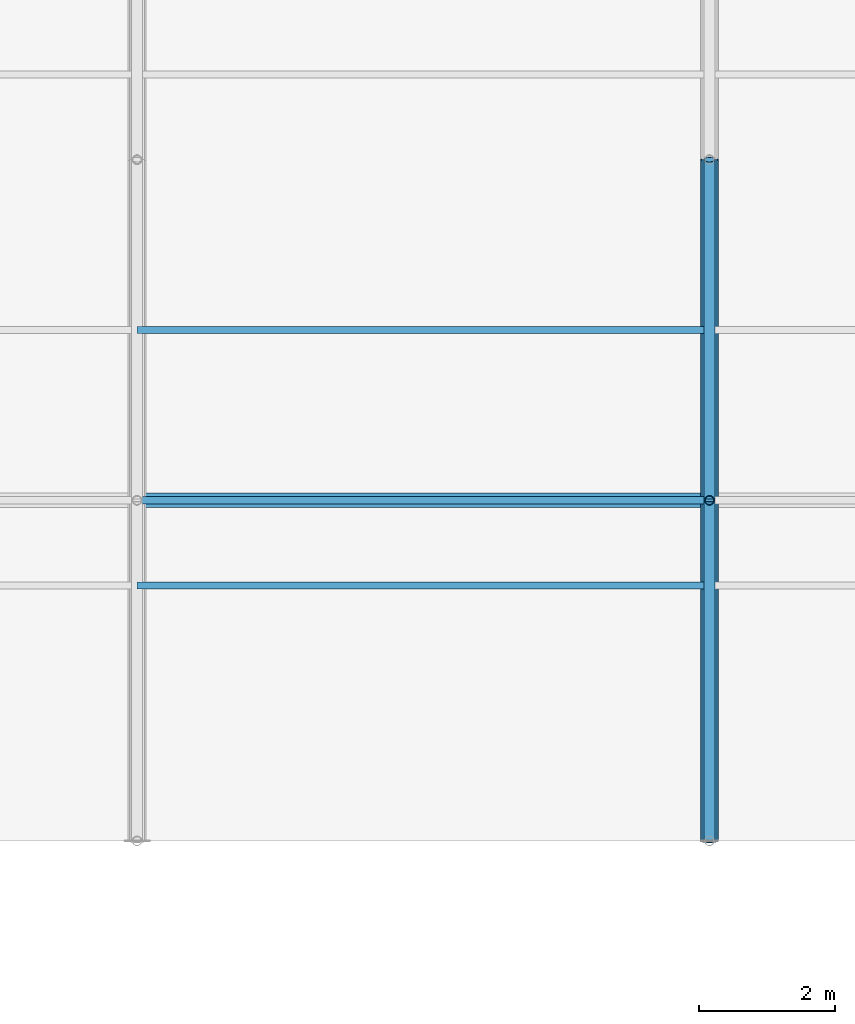
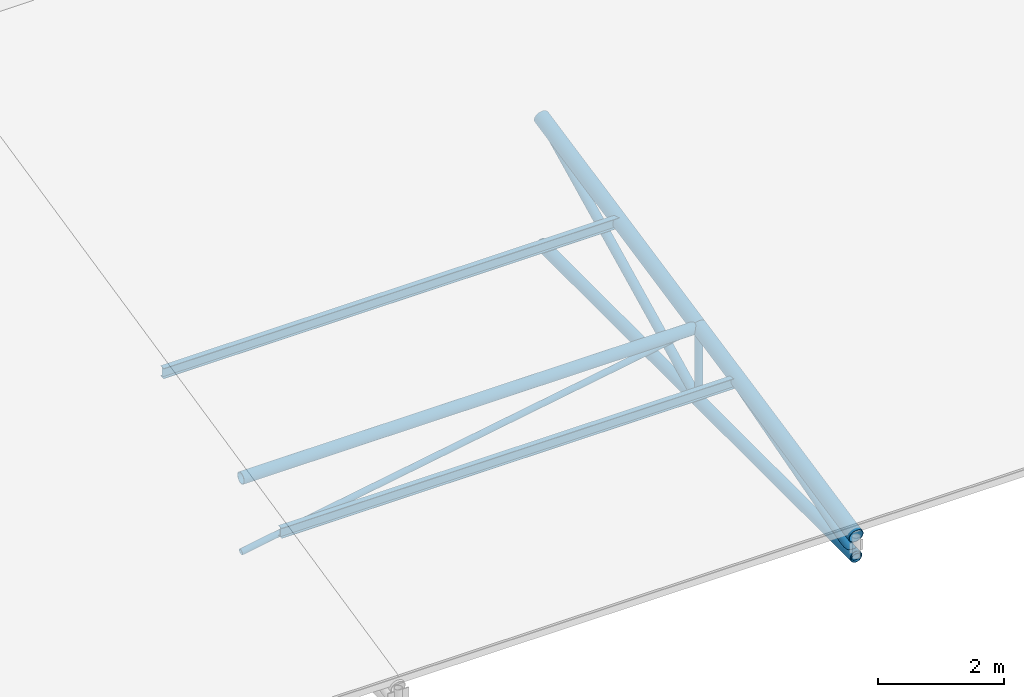
# One storey, part 29 of 194: 9 members, 2 beams.
"""IFC4 building model written with IfcOpenShell, lengths in metres."""

from ifc_helpers import new_model, si_unit, direction, frame, origin, origin_2d, place, context, subcontext, project, spatial, hollow_circle, i_section, extrude, material, material_profile, profile_set, type_object, element, save


model = new_model("IFC4")

# Units and contexts
model_context = context("Model", 3, precision=1e-05, world=origin(), true_north=direction((0.0, 1.0)))
body_context = subcontext(model_context, "Body", "Model", "MODEL_VIEW")
ifc_project = project(units=[si_unit("LENGTHUNIT", "METRE"), si_unit("AREAUNIT", "SQUARE_METRE"), si_unit("VOLUMEUNIT", "CUBIC_METRE"), si_unit("PLANEANGLEUNIT", "RADIAN"), si_unit("MASSUNIT", "GRAM", prefix="KILO")], contexts=[model_context])

# Site, building, storey
site_placement = place(None, origin())
site = spatial("IfcSite", under=ifc_project, at=site_placement, CompositionType="ELEMENT")
building_placement = place(site_placement, origin())
building = spatial("IfcBuilding", under=site, at=building_placement, Name="Kazenagashi Tramway Depot", CompositionType="ELEMENT")
storey_placement = place(building_placement, frame((0.0, 0.0, 23.7)))
storey = spatial("IfcBuildingStorey", under=building, at=storey_placement, Name="ROOF", CompositionType="ELEMENT", Elevation=23.7)

# Beams
ifc_material_1 = material(Name="Steel SN400B", Category="steel")
ifc_material_profile_1 = material_profile(ifc_material_1, i_section(OverallWidth=0.1, OverallDepth=0.2, WebThickness=0.0055, FlangeThickness=0.008, at=origin_2d()), Name="H-200x100x5.5x8")
ifc_profile_set_1 = profile_set([ifc_material_profile_1], Name="Steel SN400B")
beam_type = type_object("IfcBeamType", Name="PR-01", PredefinedType="USERDEFINED", material=ifc_profile_set_1)
for number, where, z_axis, x_axis, name in (
    (1, (95.2, 73.75, -12.955), (1.0, 0.0, 0.0), (0.0, 1.0, 0.0), "Beam PR-01 BM-2024"),
    (2, (95.2, 77.5, -12.13), (1.0, 0.0, 0.0), (0.0, 1.0, 0.0), "Beam PR-01 BM-2042"),
):
    element("IfcBeam", number, at=place(storey_placement, frame(where, z_axis=z_axis, x_axis=x_axis)), inside=storey, type_object=beam_type, Name=name, ObjectType="PURLIN", PredefinedType="USERDEFINED", context=body_context, shape_type="SweptSolid", body=[
        extrude(i_section(OverallWidth=0.1, OverallDepth=0.2, WebThickness=0.0055, FlangeThickness=0.008, at=origin_2d()), origin(), (0.0, 0.0, 1.0), 8.4),
    ])

# Members
ifc_material_2 = material(Name="Steel STK490", Category="steel")
ifc_material_profile_2 = material_profile(ifc_material_2, hollow_circle(Radius=0.1337, WallThickness=0.0093, at=origin_2d()), Name="CHS-267.4x9.3")
ifc_profile_set_2 = profile_set([ifc_material_profile_2], Name="Steel STK490")
member_type_1 = type_object("IfcMemberType", Name="TC-01", PredefinedType="CHORD", material=ifc_profile_set_2)
member_1_placement = place(storey_placement, frame((103.6, 70.0, -13.7), z_axis=(0.0, 0.979317999984, 0.202327098797), x_axis=(-1.0, 0.0, 0.0)))
element("IfcMember", 3, at=member_1_placement, inside=storey, type_object=member_type_1, Name="Tubular Space Frame TC-01 MEM-0428", PredefinedType="CHORD", context=body_context, shape_type="SweptSolid", body=[
    extrude(hollow_circle(Radius=0.1337, WallThickness=0.0093, at=origin_2d()), origin(), (0.0, 0.0, 1.0), 5.105594),
])
member_2_placement = place(storey_placement, frame((103.6, 75.0, -12.667), z_axis=(0.0, 0.979279174591, 0.202514933305), x_axis=(-1.0, 0.0, 0.0)))
element("IfcMember", 4, at=member_2_placement, inside=storey, type_object=member_type_1, Name="Tubular Space Frame TC-01 MEM-0431", PredefinedType="CHORD", context=body_context, shape_type="SweptSolid", body=[
    extrude(hollow_circle(Radius=0.1337, WallThickness=0.0093, at=origin_2d()), origin(), (0.0, 0.0, 1.0), 5.105796),
])
ifc_material_profile_3 = material_profile(ifc_material_2, hollow_circle(Radius=0.10815, WallThickness=0.0082, at=origin_2d()), Name="CHS-216.3x8.2")
ifc_profile_set_3 = profile_set([ifc_material_profile_3], Name="Steel STK490")
member_type_2 = type_object("IfcMemberType", Name="TC-02", PredefinedType="CHORD", material=ifc_profile_set_3)
member_3_placement = place(storey_placement, frame((95.2, 75.0, -12.667), z_axis=(1.0, 0.0, 0.0), x_axis=(0.0, 1.0, 0.0)))
element("IfcMember", 5, at=member_3_placement, inside=storey, type_object=member_type_2, Name="Tubular Space Frame TC-02 MEM-0392", PredefinedType="CHORD", context=body_context, shape_type="SweptSolid", body=[
    extrude(hollow_circle(Radius=0.10815, WallThickness=0.0082, at=origin_2d()), origin(), (0.0, 0.0, 1.0), 8.4),
])
for number, where, z_axis, x_axis, name in (
    (6, (103.6, 70.0, -14.1), (0.0, 1.0, 0.0), (-1.0, 0.0, 0.0), "Tubular Space Frame TC-02 MEM-0429"),
    (7, (103.6, 75.0, -14.1), (0.0, 1.0, 0.0), (-1.0, 0.0, 0.0), "Tubular Space Frame TC-02 MEM-0432"),
):
    element("IfcMember", number, at=place(storey_placement, frame(where, z_axis=z_axis, x_axis=x_axis)), inside=storey, type_object=member_type_2, Name=name, PredefinedType="CHORD", context=body_context, shape_type="SweptSolid", body=[
        extrude(hollow_circle(Radius=0.10815, WallThickness=0.0082, at=origin_2d()), origin(), (0.0, 0.0, 1.0), 5.0),
    ])
ifc_material_profile_4 = material_profile(ifc_material_2, hollow_circle(Radius=0.0826, WallThickness=0.0071, at=origin_2d()), Name="CHS-165.2x7.1")
ifc_profile_set_4 = profile_set([ifc_material_profile_4], Name="Steel STK490")
member_type_3 = type_object("IfcMemberType", Name="TS-01", PredefinedType="STRUT", material=ifc_profile_set_4)
member_4_placement = place(storey_placement, frame((103.6, 70.0, -14.1), z_axis=(0.0, 0.961298717795, 0.27550821252), x_axis=(-1.0, 0.0, 0.0)))
element("IfcMember", 8, at=member_4_placement, inside=storey, type_object=member_type_3, Name="Tubular Space Frame TS-01 MEM-0430", PredefinedType="STRUT", context=body_context, shape_type="SweptSolid", body=[
    extrude(hollow_circle(Radius=0.0826, WallThickness=0.0071, at=origin_2d()), origin(), (0.0, 0.0, 1.0), 5.201297),
])
member_5_placement = place(storey_placement, frame((103.6, 75.0, -14.1), z_axis=(0.0, 0.896782162482, 0.442472318969), x_axis=(-1.0, 0.0, 0.0)))
element("IfcMember", 9, at=member_5_placement, inside=storey, type_object=member_type_3, Name="Tubular Space Frame TS-01 MEM-0433", PredefinedType="STRUT", context=body_context, shape_type="SweptSolid", body=[
    extrude(hollow_circle(Radius=0.0826, WallThickness=0.0071, at=origin_2d()), origin(), (0.0, 0.0, 1.0), 5.57549),
])
ifc_material_profile_5 = material_profile(ifc_material_2, hollow_circle(Radius=0.0699, WallThickness=0.0066, at=origin_2d()), Name="CHS-139.8x6.6")
ifc_profile_set_5 = profile_set([ifc_material_profile_5], Name="Steel STK490")
member_type_4 = type_object("IfcMemberType", Name="TS-02", PredefinedType="STRUT", material=ifc_profile_set_5)
member_6_placement = place(storey_placement, frame((103.6, 75.0, -14.1), z_axis=(0.0, 0.0, 1.0), x_axis=(1.0, 0.0, 0.0)))
element("IfcMember", 10, at=member_6_placement, inside=storey, type_object=member_type_4, Name="Tubular Space Frame TS-02 MEM-0447", PredefinedType="STRUT", context=body_context, shape_type="SweptSolid", body=[
    extrude(hollow_circle(Radius=0.0699, WallThickness=0.0066, at=origin_2d()), origin(), (0.0, 0.0, 1.0), 1.433),
])
ifc_material_3 = material(Name="Steel STK400", Category="steel")
ifc_material_profile_6 = material_profile(ifc_material_3, hollow_circle(Radius=0.05715, WallThickness=0.0045, at=origin_2d()), Name="CHS-114.3x4.5")
ifc_profile_set_6 = profile_set([ifc_material_profile_6], Name="Steel STK400")
member_type_5 = type_object("IfcMemberType", Name="TS-03", PredefinedType="STRUT", material=ifc_profile_set_6)
member_7_placement = place(storey_placement, frame((95.2, 75.0, -14.1), z_axis=(0.985758734117, 0.0, 0.168165745951), x_axis=(0.0, 1.0, 0.0)))
element("IfcMember", 11, at=member_7_placement, inside=storey, type_object=member_type_5, Name="Tubular Space Frame TS-03 MEM-0393", PredefinedType="STRUT", context=body_context, shape_type="SweptSolid", body=[
    extrude(hollow_circle(Radius=0.05715, WallThickness=0.0045, at=origin_2d()), origin(), (0.0, 0.0, 1.0), 8.521355),
])

save(model, "model.ifc")
